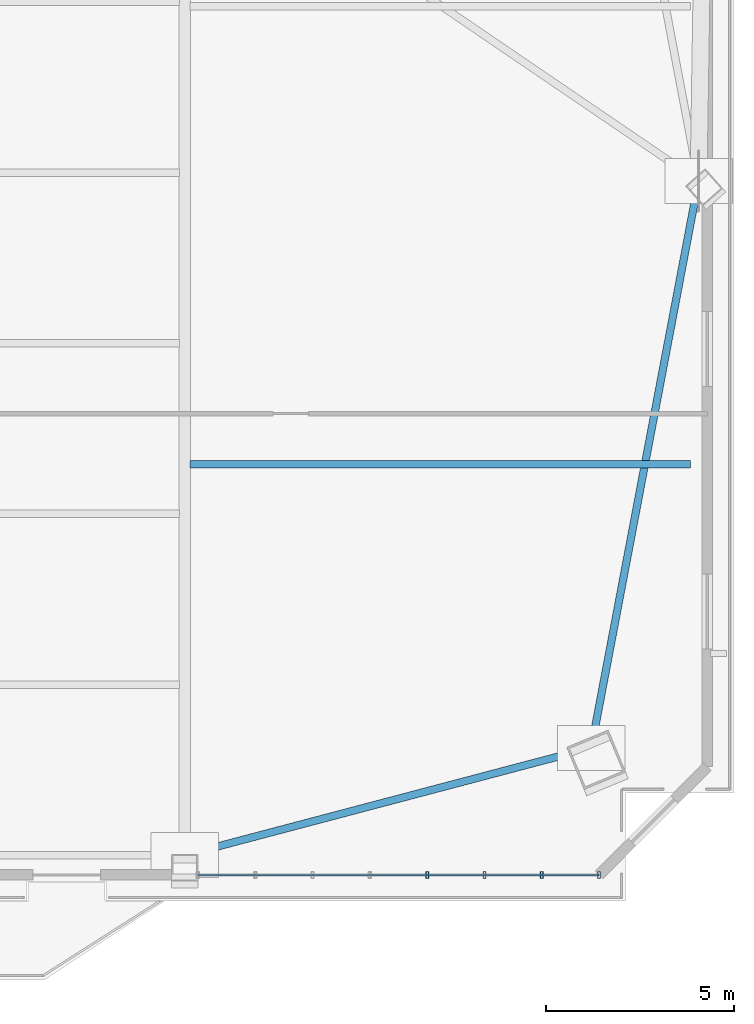
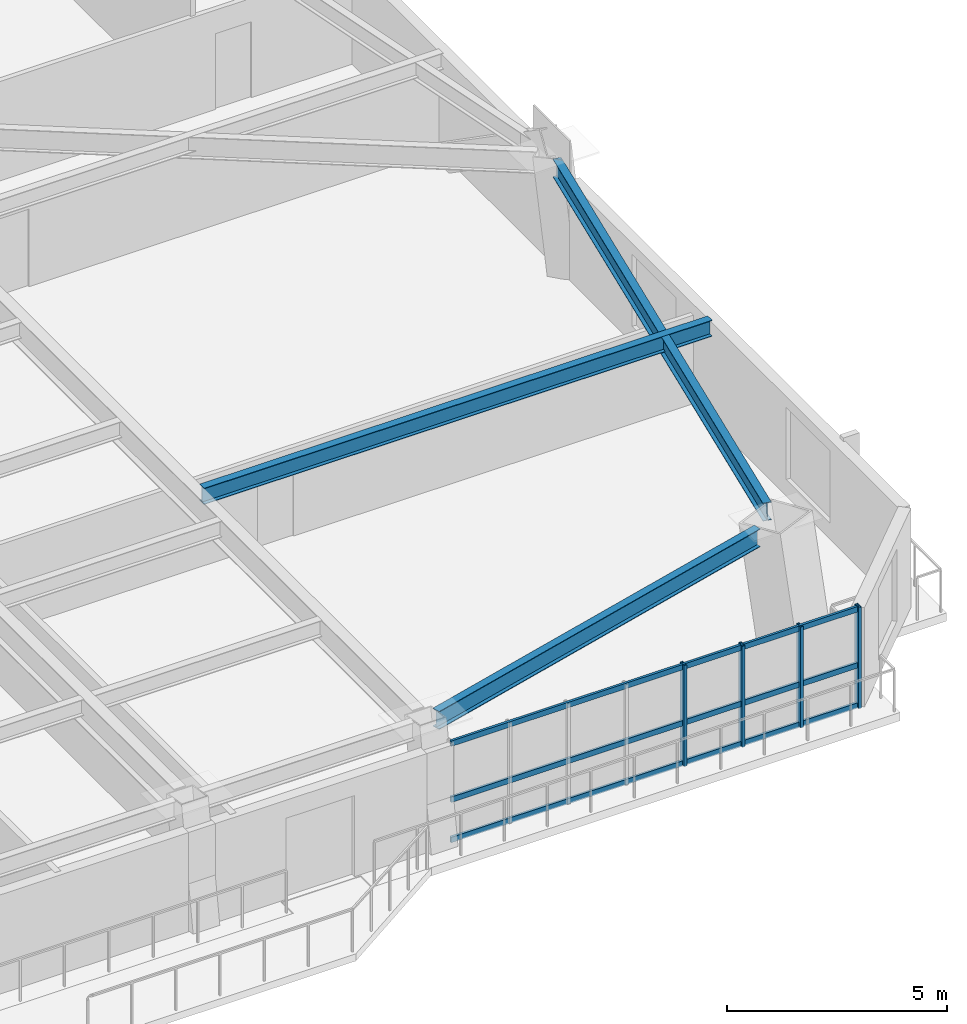
# One storey, part 5 of 15: 7 members, 3 beams, 1 element without a shape of its own.
"""IFC4 building model written with IfcOpenShell, lengths in metres."""

from ifc_helpers import new_model, si_unit, direction, frame, origin, origin_2d, place, context, subcontext, project, spatial, hollow_rectangle, i_section, extrude, source, transform, mapped, material, layer, layer_set, material_profile, profile_set, type_object, element, aggregate, save


model = new_model("IFC4")

# Units and contexts
model_context = context("Model", 3, precision=1e-05, world=origin(), true_north=direction((0.0, 1.0)))
body_context = subcontext(model_context, "Body", "Model", "MODEL_VIEW")
ifc_project = project(units=[si_unit("LENGTHUNIT", "METRE"), si_unit("AREAUNIT", "SQUARE_METRE"), si_unit("VOLUMEUNIT", "CUBIC_METRE"), si_unit("PLANEANGLEUNIT", "RADIAN"), si_unit("MASSUNIT", "GRAM", prefix="KILO")], contexts=[model_context])

# Site, building, storey
site_placement = place(None, origin())
site = spatial("IfcSite", under=ifc_project, at=site_placement, CompositionType="ELEMENT")
building_placement = place(site_placement, origin())
building = spatial("IfcBuilding", under=site, at=building_placement, Name="Giltprow Tower", CompositionType="ELEMENT")
storey_placement = place(building_placement, frame((0.0, 0.0, 177.199951171875)))
storey = spatial("IfcBuildingStorey", under=building, at=storey_placement, Name="L44", CompositionType="ELEMENT", Elevation=177.199951171875)

# Beams
ifc_material_1 = material(Name="Structural steel Q355B", Category="steel")
ifc_material_profile_1 = material_profile(ifc_material_1, i_section(OverallWidth=0.199951171875, OverallDepth=0.5, WebThickness=0.010009765625, FlangeThickness=0.01611328125, at=origin_2d()), Name="HN 500x200x10x16")
ifc_profile_set_1 = profile_set([ifc_material_profile_1], Name="Structural steel Q355B")
beam_type_1 = type_object("IfcBeamType", Name="BM-SPAN-HN500", PredefinedType="SPANDREL", material=ifc_profile_set_1)
shared_shape_1 = source(origin(), body_context, "Body", "SweptSolid", [
    extrude(i_section(OverallWidth=0.199951171875, OverallDepth=0.5, WebThickness=0.010009765625, FlangeThickness=0.01611328125, at=origin_2d()), origin(), (0.0, 0.0, 1.0), 10.286865234375),
])
beam_1_placement = place(storey_placement, frame((50.8740234375, 10.239990234375, 3.02001953125), z_axis=(0.966868553861, 0.25527475307, 0.0), x_axis=(-0.25527475307, 0.966868553861, 0.0)))
element("IfcBeam", 1, at=beam_1_placement, inside=storey, type_object=beam_type_1, Name="L44 Perimeter Spandrel Beam S4-MC_SE", PredefinedType="SPANDREL", context=body_context, shape_type="MappedRepresentation", body=[
    mapped(shared_shape_1, transform((0.0, 0.0, 0.0), x_axis=(1.0, 0.0, 0.0), y_axis=(0.0, 1.0, 0.0), z_axis=(0.0, 0.0, 1.0), scale=1.0)),
])
shared_shape_2 = source(origin(), body_context, "Body", "SweptSolid", [
    extrude(i_section(OverallWidth=0.199951171875, OverallDepth=0.5, WebThickness=0.010009765625, FlangeThickness=0.01611328125, at=origin_2d()), origin(), (0.0, 0.0, 1.0), 14.46044921875),
])
beam_2_placement = place(storey_placement, frame((61.4951171875, 13.590087890625, 3.02001953125), z_axis=(0.186021185186, 0.982545733624, 0.0), x_axis=(-0.982545733624, 0.186021185186, 0.0)))
element("IfcBeam", 2, at=beam_2_placement, inside=storey, type_object=beam_type_1, Name="L44 Perimeter Spandrel Beam MC_SE-E_MID", PredefinedType="SPANDREL", context=body_context, shape_type="MappedRepresentation", body=[
    mapped(shared_shape_2, transform((0.0, 0.0, 0.0), x_axis=(1.0, 0.0, 0.0), y_axis=(0.0, 1.0, 0.0), z_axis=(0.0, 0.0, 1.0), scale=1.0)),
])
ifc_material_profile_2 = material_profile(ifc_material_1, i_section(OverallWidth=0.199951171875, OverallDepth=0.449951171875, WebThickness=0.009033203125, FlangeThickness=0.013916015625, at=origin_2d()), Name="HN 450x200x9x14")
ifc_profile_set_2 = profile_set([ifc_material_profile_2], Name="Structural steel Q355B")
beam_type_2 = type_object("IfcBeamType", Name="BM-JOIST-HN450", PredefinedType="JOIST", material=ifc_profile_set_2)
shared_shape_3 = source(origin(), body_context, "Body", "SweptSolid", [
    extrude(i_section(OverallWidth=0.199951171875, OverallDepth=0.449951171875, WebThickness=0.009033203125, FlangeThickness=0.013916015625, at=origin_2d()), origin(), (0.0, 0.0, 1.0), 13.33203125),
])
beam_3_placement = place(storey_placement, frame((50.695068359375, 20.571044921875, 3.045166015625), z_axis=(1.0, 0.0, 0.0), x_axis=(0.0, 1.0, 0.0)))
element("IfcBeam", 3, at=beam_3_placement, inside=storey, type_object=beam_type_2, Name="L44 East Wing Floor Joist 1", PredefinedType="JOIST", context=body_context, shape_type="MappedRepresentation", body=[
    mapped(shared_shape_3, transform((0.0, 0.0, 0.0), x_axis=(1.0, 0.0, 0.0), y_axis=(0.0, 1.0, 0.0), z_axis=(0.0, 0.0, 1.0), scale=1.0)),
])

# Curtain wall, members
ifc_material_2 = material(Name="Anodized bronze", Category="metal")
ifc_layer = layer(ifc_material_2, 0.179931640625, Name="Anodized bronze")
ifc_layer_set = layer_set([ifc_layer], Name="Anodized bronze")
curtain_wall_type = type_object("IfcCurtainWallType", Name="CW-HTL-BRONZE", PredefinedType="NOTDEFINED", material=ifc_layer_set)
curtain_wall_placement = place(storey_placement, origin())
curtain_wall = element("IfcCurtainWall", 4, at=curtain_wall_placement, inside=storey, type_object=curtain_wall_type, Name="L44 South Recessed Curtain Wall 6", PredefinedType="NOTDEFINED")
ifc_material_profile_3 = material_profile(ifc_material_2, hollow_rectangle(XDim=0.074951171875, YDim=0.179931640625, WallThickness=0.008056640625, at=origin_2d()), Name="RHS 180x75x8")
ifc_profile_set_3 = profile_set([ifc_material_profile_3], Name="Anodized bronze")
member_type_1 = type_object("IfcMemberType", Name="CW-MULLION-180x75", PredefinedType="MULLION", material=ifc_profile_set_3)
shared_shape_4 = source(origin(), body_context, "Body", "SweptSolid", [
    extrude(hollow_rectangle(XDim=0.074951171875, YDim=0.179931640625, WallThickness=0.008056640625, at=origin_2d()), origin(), (0.0, 0.0, 1.0), 2.80517578125),
])
member_1_placement = place(storey_placement, frame((57.010986328125, 9.6259765625, -0.02001953125), z_axis=(0.0, 0.0, 1.0), x_axis=(1.0, 0.0, 0.0)))
member_1 = element("IfcMember", 5, at=member_1_placement, type_object=member_type_1, Name="L44 South Recessed Curtain Wall 6 Mullion 5", PredefinedType="MULLION", context=body_context, shape_type="MappedRepresentation", body=[
    mapped(shared_shape_4, transform((0.0, 0.0, 0.0), x_axis=(1.0, 0.0, 0.0), y_axis=(0.0, 1.0, 0.0), z_axis=(0.0, 0.0, 1.0), scale=1.0)),
])
member_2_placement = place(storey_placement, frame((58.5390625, 9.6259765625, -0.02001953125), z_axis=(0.0, 0.0, 1.0), x_axis=(1.0, 0.0, 0.0)))
member_2 = element("IfcMember", 6, at=member_2_placement, type_object=member_type_1, Name="L44 South Recessed Curtain Wall 6 Mullion 6", PredefinedType="MULLION", context=body_context, shape_type="MappedRepresentation", body=[
    mapped(shared_shape_4, transform((0.0, 0.0, 0.0), x_axis=(1.0, 0.0, 0.0), y_axis=(0.0, 1.0, 0.0), z_axis=(0.0, 0.0, 1.0), scale=1.0)),
])
member_3_placement = place(storey_placement, frame((60.06591796875, 9.6259765625, -0.02001953125), z_axis=(0.0, 0.0, 1.0), x_axis=(1.0, 0.0, 0.0)))
member_3 = element("IfcMember", 7, at=member_3_placement, type_object=member_type_1, Name="L44 South Recessed Curtain Wall 6 Mullion 7", PredefinedType="MULLION", context=body_context, shape_type="MappedRepresentation", body=[
    mapped(shared_shape_4, transform((0.0, 0.0, 0.0), x_axis=(1.0, 0.0, 0.0), y_axis=(0.0, 1.0, 0.0), z_axis=(0.0, 0.0, 1.0), scale=1.0)),
])
member_4_placement = place(storey_placement, frame((61.593994140625, 9.6259765625, -0.02001953125), z_axis=(0.0, 0.0, 1.0), x_axis=(1.0, 0.0, 0.0)))
member_4 = element("IfcMember", 8, at=member_4_placement, type_object=member_type_1, Name="L44 South Recessed Curtain Wall 6 Mullion 8", PredefinedType="MULLION", context=body_context, shape_type="MappedRepresentation", body=[
    mapped(shared_shape_4, transform((0.0, 0.0, 0.0), x_axis=(1.0, 0.0, 0.0), y_axis=(0.0, 1.0, 0.0), z_axis=(0.0, 0.0, 1.0), scale=1.0)),
])
ifc_material_profile_4 = material_profile(ifc_material_2, hollow_rectangle(XDim=0.06494140625, YDim=0.14990234375, WallThickness=0.006103515625, at=origin_2d()), Name="RHS 150x65x6")
ifc_profile_set_4 = profile_set([ifc_material_profile_4], Name="Anodized bronze")
member_type_2 = type_object("IfcMemberType", Name="CW-TRANSOM-150x65", PredefinedType="USERDEFINED", material=ifc_profile_set_4)
shared_shape_5 = source(origin(), body_context, "Body", "SweptSolid", [
    extrude(hollow_rectangle(XDim=0.06494140625, YDim=0.14990234375, WallThickness=0.006103515625, at=origin_2d()), origin(), (0.0, 0.0, 1.0), 10.694091796875),
])
member_5_placement = place(storey_placement, frame((50.89990234375, 9.6259765625, 0.0400390625), z_axis=(1.0, 0.0, 0.0), x_axis=(0.0, 1.0, 0.0)))
member_5 = element("IfcMember", 9, at=member_5_placement, type_object=member_type_2, Name="L44 South Recessed Curtain Wall 6 Transom 1", ObjectType="TRANSOM", PredefinedType="USERDEFINED", context=body_context, shape_type="MappedRepresentation", body=[
    mapped(shared_shape_5, transform((0.0, 0.0, 0.0), x_axis=(1.0, 0.0, 0.0), y_axis=(0.0, 1.0, 0.0), z_axis=(0.0, 0.0, 1.0), scale=1.0)),
])
member_6_placement = place(storey_placement, frame((50.89990234375, 9.6259765625, 1.155029296875), z_axis=(1.0, 0.0, 0.0), x_axis=(0.0, 1.0, 0.0)))
member_6 = element("IfcMember", 10, at=member_6_placement, type_object=member_type_2, Name="L44 South Recessed Curtain Wall 6 Transom 2", ObjectType="TRANSOM", PredefinedType="USERDEFINED", context=body_context, shape_type="MappedRepresentation", body=[
    mapped(shared_shape_5, transform((0.0, 0.0, 0.0), x_axis=(1.0, 0.0, 0.0), y_axis=(0.0, 1.0, 0.0), z_axis=(0.0, 0.0, 1.0), scale=1.0)),
])
member_7_placement = place(storey_placement, frame((50.89990234375, 9.6259765625, 2.7099609375), z_axis=(1.0, 0.0, 0.0), x_axis=(0.0, 1.0, 0.0)))
member_7 = element("IfcMember", 11, at=member_7_placement, type_object=member_type_2, Name="L44 South Recessed Curtain Wall 6 Transom 3", ObjectType="TRANSOM", PredefinedType="USERDEFINED", context=body_context, shape_type="MappedRepresentation", body=[
    mapped(shared_shape_5, transform((0.0, 0.0, 0.0), x_axis=(1.0, 0.0, 0.0), y_axis=(0.0, 1.0, 0.0), z_axis=(0.0, 0.0, 1.0), scale=1.0)),
])
aggregate(curtain_wall, [member_1, member_2, member_3, member_4, member_5, member_6, member_7])

save(model, "model.ifc")
